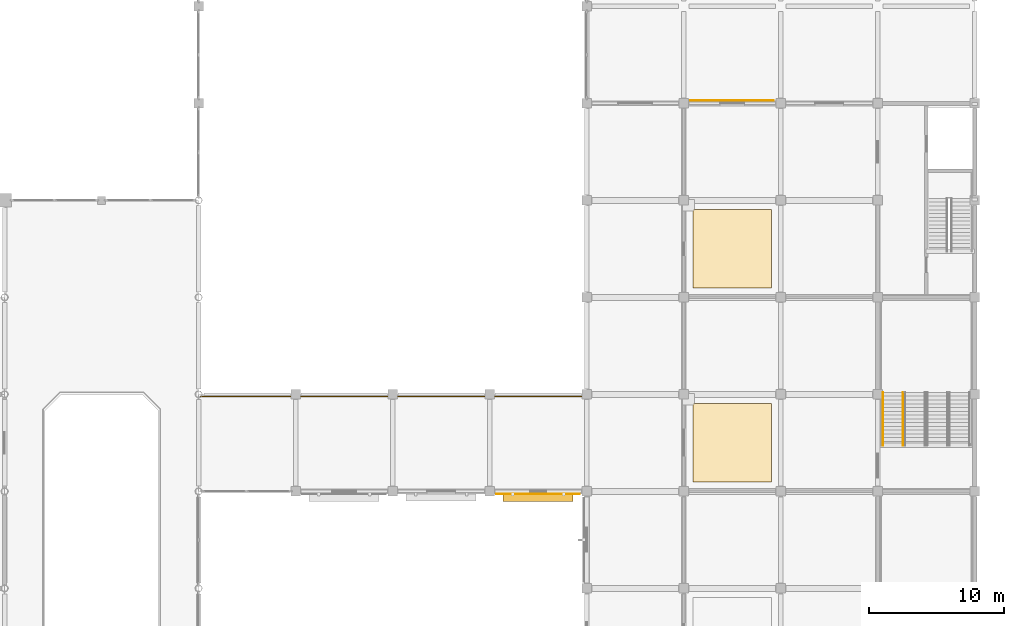
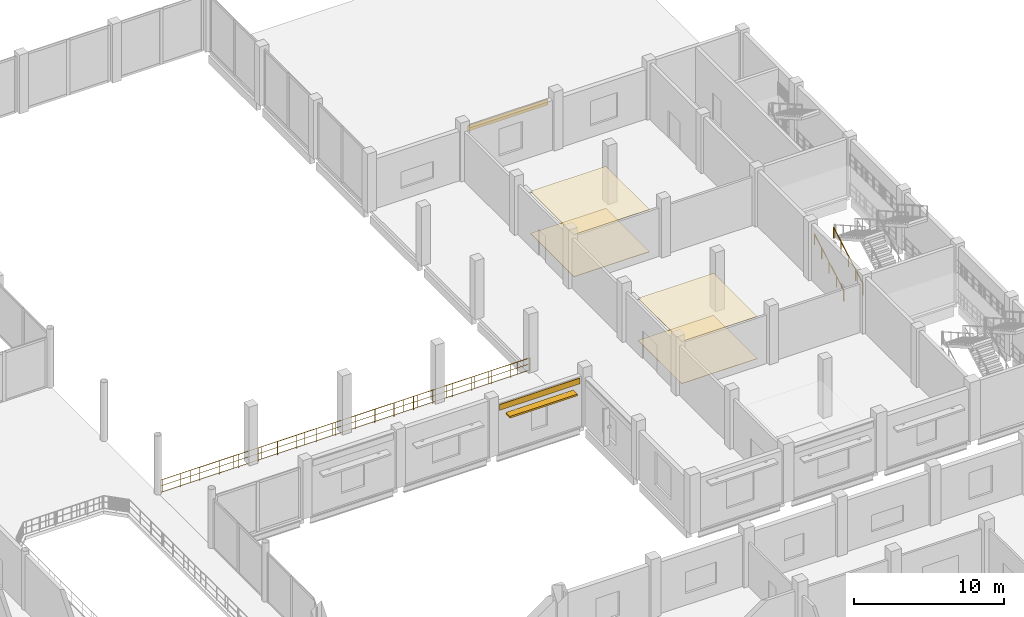
# One storey, part 97 of 99: 6 coverings, 3 railings, 1 shading device.
"""IFC4 building model written with IfcOpenShell, lengths in metres."""

from ifc_helpers import new_model, si_unit, direction, frame, frame_2d, origin, origin_2d, place, context, subcontext, project, spatial, polyline, rectangle, circle, outline, extrude, material, layer, layer_set, type_object, element, save


model = new_model("IFC4")

# Units and contexts
model_context = context("Model", 3, precision=1e-05, world=origin(), true_north=direction((0.0, 1.0)))
body_context = subcontext(model_context, "Body", "Model", "MODEL_VIEW")
ifc_project = project(units=[si_unit("LENGTHUNIT", "METRE"), si_unit("AREAUNIT", "SQUARE_METRE"), si_unit("VOLUMEUNIT", "CUBIC_METRE"), si_unit("PLANEANGLEUNIT", "RADIAN"), si_unit("MASSUNIT", "GRAM", prefix="KILO")], contexts=[model_context])

# Site, building, storey
site_placement = place(None, origin())
site = spatial("IfcSite", under=ifc_project, at=site_placement, CompositionType="ELEMENT")
building_placement = place(site_placement, origin())
building = spatial("IfcBuilding", under=site, at=building_placement, Name="Vesperath Aquatics Centre", CompositionType="ELEMENT")
storey_placement = place(building_placement, frame((0.0, 0.0, 5.39990234375)))
storey = spatial("IfcBuildingStorey", under=building, at=storey_placement, Name="L01", CompositionType="ELEMENT", Elevation=5.39990234375)

# Coverings
ifc_material_1 = material(Name="Teal and ochre glazed ceramic majolica frieze", Category="ceramic")
ifc_layer_1 = layer(ifc_material_1, 0.0400390625)
ifc_layer_set_1 = layer_set([ifc_layer_1], Name="Teal and ochre glazed ceramic majolica frieze")
covering_type_1 = type_object("IfcCoveringType", Name="CV-CLD01", PredefinedType="CLADDING", material=ifc_layer_set_1)
for number, where, z_axis, x_axis, name in (
    (1, (137.300048828125, 64.590087890625, 3.502197265625), (0.0, 0.0, 1.0), (1.0, 0.0, 0.0), "Majolica Ceramic Frieze CLD1 L01_S_19_09"),
    (2, (151.699951171875, 93.81005859375, 3.502197265625), (0.0, 0.0, 1.0), (1.0, 0.0, 0.0), "Majolica Ceramic Frieze CLD1 L01_N_21_13"),
):
    element("IfcCovering", number, at=place(storey_placement, frame(where, z_axis=z_axis, x_axis=x_axis)), inside=storey, type_object=covering_type_1, Name=name, PredefinedType="CLADDING", context=body_context, shape_type="SweptSolid", body=[
        extrude(rectangle(XDim=6.199951171875, YDim=0.0400390625, at=frame_2d((3.10009765625, 0.0))), origin(), (0.0, 0.0, 1.0), 0.469970703125),
    ])
ifc_material_2 = material(Name="Perforated moisture-resistant acoustic mineral-fibre ceiling", Category="gypsum")
ifc_layer_2 = layer(ifc_material_2, 0.044921875)
ifc_layer_set_2 = layer_set([ifc_layer_2], Name="Perforated moisture-resistant acoustic mineral-fibre ceiling")
covering_type_2 = type_object("IfcCoveringType", Name="CV-CLG01", PredefinedType="CEILING", material=ifc_layer_set_2)
covering_1_placement = place(storey_placement, frame((0.0, 0.0, 3.425048828125)))
element("IfcCovering", 3, at=covering_1_placement, inside=storey, type_object=covering_type_2, Name="Acoustic Suspended Ceiling CLG1 L01_TEAM_F", PredefinedType="CEILING", context=body_context, shape_type="SweptSolid", body=[
    extrude(outline(polyline([(151.8798828125, 65.47998046875), (157.719970703125, 65.47998046875), (157.719970703125, 71.320068359375), (151.8798828125, 71.320068359375), (151.8798828125, 65.47998046875)])), origin(), (0.0, 0.0, 1.0), 0.045166015625),
])
covering_2_placement = place(storey_placement, frame((0.0, 0.0, 3.425048828125)))
element("IfcCovering", 4, at=covering_2_placement, inside=storey, type_object=covering_type_2, Name="Acoustic Suspended Ceiling CLG1 L01_SPEC_FWC", PredefinedType="CEILING", context=body_context, shape_type="SweptSolid", body=[
    extrude(outline(polyline([(151.8798828125, 79.8798828125), (157.719970703125, 79.8798828125), (157.719970703125, 85.719970703125), (151.8798828125, 85.719970703125), (151.8798828125, 79.8798828125)])), origin(), (0.0, 0.0, 1.0), 0.045166015625),
])
ifc_material_3 = material(Name="Slip-resistant vitrified ceramic and terrazzo flooring", Category="ceramic")
ifc_layer_3 = layer(ifc_material_3, 0.030029296875)
ifc_layer_set_3 = layer_set([ifc_layer_3], Name="Slip-resistant vitrified ceramic and terrazzo flooring")
covering_type_3 = type_object("IfcCoveringType", Name="CV-FLR01", PredefinedType="FLOORING", material=ifc_layer_set_3)
covering_3_placement = place(storey_placement, origin())
element("IfcCovering", 5, at=covering_3_placement, inside=storey, type_object=covering_type_3, Name="Slip-Resistant Floor Finish FLR1 L01_TEAM_F", PredefinedType="FLOORING", context=body_context, shape_type="SweptSolid", body=[
    extrude(outline(polyline([(151.8798828125, 65.47998046875), (157.719970703125, 65.47998046875), (157.719970703125, 71.320068359375), (151.8798828125, 71.320068359375), (151.8798828125, 65.47998046875)])), origin(), (0.0, 0.0, 1.0), 0.030029296875),
])
covering_4_placement = place(storey_placement, origin())
element("IfcCovering", 6, at=covering_4_placement, inside=storey, type_object=covering_type_3, Name="Slip-Resistant Floor Finish FLR1 L01_SPEC_FWC", PredefinedType="FLOORING", context=body_context, shape_type="SweptSolid", body=[
    extrude(outline(polyline([(151.8798828125, 79.8798828125), (157.719970703125, 79.8798828125), (157.719970703125, 85.719970703125), (151.8798828125, 85.719970703125), (151.8798828125, 79.8798828125)])), origin(), (0.0, 0.0, 1.0), 0.030029296875),
])

# Railings
ifc_material_4 = material(Name="Powder-coated galvanized steel safety guard", Category="steel")
railing_type_1 = type_object("IfcRailingType", Name="RL-GRD01", PredefinedType="GUARDRAIL", material=ifc_material_4)
railing_placement = place(storey_placement, frame((115.35009765625, 71.85009765625, 0.0)))
element("IfcRailing", 7, at=railing_placement, inside=storey, type_object=railing_type_1, Name="Safety Guardrail GR02 GRD_L01_LEIS_G", PredefinedType="GUARDRAIL", context=body_context, shape_type="SweptSolid", body=[
    extrude(circle(Radius=0.02392578125, at=origin_2d()), frame((0.0, 0.0, 1.0859375), z_axis=(1.0, 0.0, 0.0), x_axis=(0.0, 1.0, 0.0)), (0.0, 0.0, 1.0), 28.5),
    extrude(circle(Radius=0.01611328125, at=origin_2d()), frame((0.0, 0.0, 0.10009765625), z_axis=(1.0, 0.0, 0.0), x_axis=(0.0, 1.0, 0.0)), (0.0, 0.0, 1.0), 28.5),
    extrude(circle(Radius=0.01611328125, at=origin_2d()), frame((0.0, 0.0, 0.610595703125), z_axis=(1.0, 0.0, 0.0), x_axis=(0.0, 1.0, 0.0)), (0.0, 0.0, 1.0), 28.5),
    extrude(circle(Radius=0.009033203125, at=origin_2d()), frame((0.109619140625, 0.0, 0.10009765625)), (0.0, 0.0, 1.0), 0.9619140625),
    extrude(circle(Radius=0.009033203125, at=origin_2d()), frame((1.205810546875, 0.0, 0.10009765625)), (0.0, 0.0, 1.0), 0.9619140625),
    extrude(circle(Radius=0.009033203125, at=origin_2d()), frame((2.302001953125, 0.0, 0.10009765625)), (0.0, 0.0, 1.0), 0.9619140625),
    extrude(circle(Radius=0.009033203125, at=origin_2d()), frame((3.398193359375, 0.0, 0.10009765625)), (0.0, 0.0, 1.0), 0.9619140625),
    extrude(circle(Radius=0.009033203125, at=origin_2d()), frame((4.494140625, 0.0, 0.10009765625)), (0.0, 0.0, 1.0), 0.9619140625),
    extrude(circle(Radius=0.009033203125, at=origin_2d()), frame((5.59033203125, 0.0, 0.10009765625)), (0.0, 0.0, 1.0), 0.9619140625),
    extrude(circle(Radius=0.009033203125, at=origin_2d()), frame((6.6865234375, 0.0, 0.10009765625)), (0.0, 0.0, 1.0), 0.9619140625),
    extrude(circle(Radius=0.009033203125, at=origin_2d()), frame((7.78271484375, 0.0, 0.10009765625)), (0.0, 0.0, 1.0), 0.9619140625),
    extrude(circle(Radius=0.009033203125, at=origin_2d()), frame((8.87890625, 0.0, 0.10009765625)), (0.0, 0.0, 1.0), 0.9619140625),
    extrude(circle(Radius=0.009033203125, at=origin_2d()), frame((9.97509765625, 0.0, 0.10009765625)), (0.0, 0.0, 1.0), 0.9619140625),
    extrude(circle(Radius=0.009033203125, at=origin_2d()), frame((11.071044921875, 0.0, 0.10009765625)), (0.0, 0.0, 1.0), 0.9619140625),
    extrude(circle(Radius=0.009033203125, at=origin_2d()), frame((12.167236328125, 0.0, 0.10009765625)), (0.0, 0.0, 1.0), 0.9619140625),
    extrude(circle(Radius=0.009033203125, at=origin_2d()), frame((13.263427734375, 0.0, 0.10009765625)), (0.0, 0.0, 1.0), 0.9619140625),
    extrude(circle(Radius=0.009033203125, at=origin_2d()), frame((14.359619140625, 0.0, 0.10009765625)), (0.0, 0.0, 1.0), 0.9619140625),
    extrude(circle(Radius=0.009033203125, at=origin_2d()), frame((15.455810546875, 0.0, 0.10009765625)), (0.0, 0.0, 1.0), 0.9619140625),
    extrude(circle(Radius=0.009033203125, at=origin_2d()), frame((16.552001953125, 0.0, 0.10009765625)), (0.0, 0.0, 1.0), 0.9619140625),
    extrude(circle(Radius=0.009033203125, at=origin_2d()), frame((17.648193359375, 0.0, 0.10009765625)), (0.0, 0.0, 1.0), 0.9619140625),
    extrude(circle(Radius=0.009033203125, at=origin_2d()), frame((18.744140625, 0.0, 0.10009765625)), (0.0, 0.0, 1.0), 0.9619140625),
    extrude(circle(Radius=0.009033203125, at=origin_2d()), frame((19.84033203125, 0.0, 0.10009765625)), (0.0, 0.0, 1.0), 0.9619140625),
    extrude(circle(Radius=0.009033203125, at=origin_2d()), frame((20.9365234375, 0.0, 0.10009765625)), (0.0, 0.0, 1.0), 0.9619140625),
    extrude(circle(Radius=0.009033203125, at=origin_2d()), frame((22.03271484375, 0.0, 0.10009765625)), (0.0, 0.0, 1.0), 0.9619140625),
    extrude(circle(Radius=0.009033203125, at=origin_2d()), frame((23.12890625, 0.0, 0.10009765625)), (0.0, 0.0, 1.0), 0.9619140625),
    extrude(circle(Radius=0.009033203125, at=origin_2d()), frame((24.22509765625, 0.0, 0.10009765625)), (0.0, 0.0, 1.0), 0.9619140625),
    extrude(circle(Radius=0.009033203125, at=origin_2d()), frame((25.321044921875, 0.0, 0.10009765625)), (0.0, 0.0, 1.0), 0.9619140625),
    extrude(circle(Radius=0.009033203125, at=origin_2d()), frame((26.417236328125, 0.0, 0.10009765625)), (0.0, 0.0, 1.0), 0.9619140625),
    extrude(circle(Radius=0.009033203125, at=origin_2d()), frame((27.513427734375, 0.0, 0.10009765625)), (0.0, 0.0, 1.0), 0.9619140625),
    extrude(circle(Radius=0.02197265625, at=origin_2d()), origin(), (0.0, 0.0, 1.0), 1.0859375),
    extrude(circle(Radius=0.02197265625, at=origin_2d()), frame((1.5, 0.0, 0.0)), (0.0, 0.0, 1.0), 1.0859375),
    extrude(circle(Radius=0.02197265625, at=origin_2d()), frame((3.0, 0.0, 0.0)), (0.0, 0.0, 1.0), 1.0859375),
    extrude(circle(Radius=0.02197265625, at=origin_2d()), frame((4.5, 0.0, 0.0)), (0.0, 0.0, 1.0), 1.0859375),
    extrude(circle(Radius=0.02197265625, at=origin_2d()), frame((6.0, 0.0, 0.0)), (0.0, 0.0, 1.0), 1.0859375),
    extrude(circle(Radius=0.02197265625, at=origin_2d()), frame((7.5, 0.0, 0.0)), (0.0, 0.0, 1.0), 1.0859375),
    extrude(circle(Radius=0.02197265625, at=origin_2d()), frame((9.0, 0.0, 0.0)), (0.0, 0.0, 1.0), 1.0859375),
    extrude(circle(Radius=0.02197265625, at=origin_2d()), frame((10.5, 0.0, 0.0)), (0.0, 0.0, 1.0), 1.0859375),
    extrude(circle(Radius=0.02197265625, at=origin_2d()), frame((12.0, 0.0, 0.0)), (0.0, 0.0, 1.0), 1.0859375),
    extrude(circle(Radius=0.02197265625, at=origin_2d()), frame((13.5, 0.0, 0.0)), (0.0, 0.0, 1.0), 1.0859375),
    extrude(circle(Radius=0.02197265625, at=origin_2d()), frame((15.0, 0.0, 0.0)), (0.0, 0.0, 1.0), 1.0859375),
    extrude(circle(Radius=0.02197265625, at=origin_2d()), frame((16.5, 0.0, 0.0)), (0.0, 0.0, 1.0), 1.0859375),
    extrude(circle(Radius=0.02197265625, at=origin_2d()), frame((18.0, 0.0, 0.0)), (0.0, 0.0, 1.0), 1.0859375),
    extrude(circle(Radius=0.02197265625, at=origin_2d()), frame((19.5, 0.0, 0.0)), (0.0, 0.0, 1.0), 1.0859375),
    extrude(circle(Radius=0.02197265625, at=origin_2d()), frame((21.0, 0.0, 0.0)), (0.0, 0.0, 1.0), 1.0859375),
    extrude(circle(Radius=0.02197265625, at=origin_2d()), frame((22.5, 0.0, 0.0)), (0.0, 0.0, 1.0), 1.0859375),
    extrude(circle(Radius=0.02197265625, at=origin_2d()), frame((24.0, 0.0, 0.0)), (0.0, 0.0, 1.0), 1.0859375),
    extrude(circle(Radius=0.02197265625, at=origin_2d()), frame((25.5, 0.0, 0.0)), (0.0, 0.0, 1.0), 1.0859375),
    extrude(circle(Radius=0.02197265625, at=origin_2d()), frame((27.0, 0.0, 0.0)), (0.0, 0.0, 1.0), 1.0859375),
    extrude(circle(Radius=0.02197265625, at=origin_2d()), frame((28.5, 0.0, 0.0)), (0.0, 0.0, 1.0), 1.0859375),
])
ifc_material_5 = material(Name="Brushed stainless steel tubular handrail", Category="steel")
railing_type_2 = type_object("IfcRailingType", Name="RL-HND01", PredefinedType="HANDRAIL", material=ifc_material_5)
for number, where, name in (
    (8, (167.469970703125, 68.219970703125, 0.16015625), "Stair ST13A Flight 1 Handrail HR01 L01"),
    (9, (165.97998046875, 68.219970703125, 0.16015625), "Stair ST13A Flight 1 Handrail HR01 L01"),
):
    element("IfcRailing", number, at=place(storey_placement, frame(where)), inside=storey, type_object=railing_type_2, Name=name, PredefinedType="HANDRAIL", context=body_context, shape_type="SweptSolid", body=[
        extrude(circle(Radius=0.02392578125, at=origin_2d()), frame((0.0, 0.0, 0.8759765625), z_axis=(0.0, 0.868239814368, 0.496144761885), x_axis=(-1.0, 0.0, 0.0)), (0.0, 0.0, 1.0), 4.514892578125),
        extrude(circle(Radius=0.02197265625, at=origin_2d()), origin(), (0.0, 0.0, 1.0), 0.8759765625),
        extrude(circle(Radius=0.02197265625, at=origin_2d()), frame((0.0, 0.97998046875, 0.56005859375)), (0.0, 0.0, 1.0), 0.8759765625),
        extrude(circle(Radius=0.02197265625, at=origin_2d()), frame((0.0, 1.9599609375, 1.1201171875)), (0.0, 0.0, 1.0), 0.8759765625),
        extrude(circle(Radius=0.02197265625, at=origin_2d()), frame((0.0, 2.93994140625, 1.679931640625)), (0.0, 0.0, 1.0), 0.8759765625),
        extrude(circle(Radius=0.02197265625, at=origin_2d()), frame((0.0, 3.919921875, 2.239990234375)), (0.0, 0.0, 1.0), 0.8759765625),
    ])

# Shading device
ifc_material_6 = material(Name="Anodised bronze aluminium solar brise-soleil", Category="aluminium")
shading_device_type = type_object("IfcShadingDeviceType", Name="SH-LVR01", PredefinedType="JALOUSIE", material=ifc_material_6)
shading_device_placement = place(storey_placement, frame((140.39990234375, 64.3349609375, 3.0), z_axis=(0.0, 0.0, 1.0), x_axis=(1.0, 0.0, 0.0)))
element("IfcShadingDevice", 10, at=shading_device_placement, inside=storey, type_object=shading_device_type, Name="Bronze Solar Brise-Soleil LV01 L01_S_19_09", PredefinedType="JALOUSIE", context=body_context, shape_type="SweptSolid", body=[
    extrude(rectangle(XDim=5.199951171875, YDim=0.550048828125, at=origin_2d()), origin(), (0.0, 0.0, 1.0), 0.139892578125),
])

save(model, "model.ifc")
